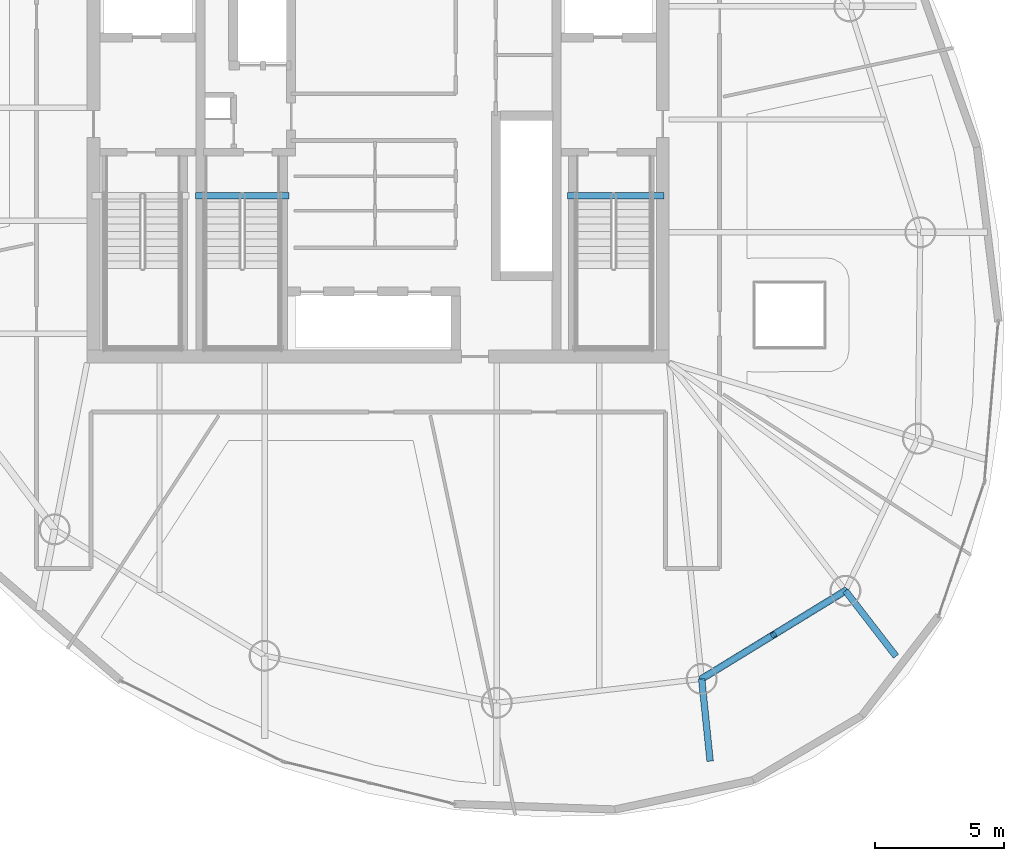
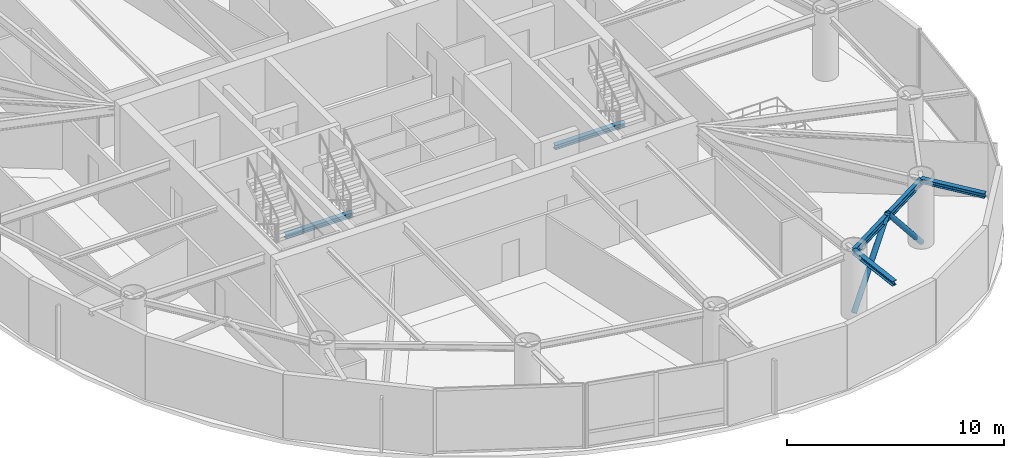
# One storey, part 7 of 22: 5 beams, 2 members.
"""IFC4 building model written with IfcOpenShell, lengths in metres."""

from ifc_helpers import new_model, si_unit, direction, frame, origin, origin_2d, place, context, subcontext, project, spatial, hollow_circle, i_section, extrude, material, material_profile, profile_set, type_object, element, save


model = new_model("IFC4")

# Units and contexts
model_context = context("Model", 3, precision=1e-05, world=origin(), true_north=direction((0.0, 1.0)))
body_context = subcontext(model_context, "Body", "Model", "MODEL_VIEW")
ifc_project = project(units=[si_unit("LENGTHUNIT", "METRE"), si_unit("AREAUNIT", "SQUARE_METRE"), si_unit("VOLUMEUNIT", "CUBIC_METRE"), si_unit("PLANEANGLEUNIT", "RADIAN"), si_unit("MASSUNIT", "GRAM", prefix="KILO")], contexts=[model_context])

# Site, building, storey
site_placement = place(None, origin())
site = spatial("IfcSite", under=ifc_project, at=site_placement, CompositionType="ELEMENT")
building_placement = place(site_placement, origin())
building = spatial("IfcBuilding", under=site, at=building_placement, Name="Bramvorn Convention Spire", CompositionType="ELEMENT")
storey_placement = place(building_placement, frame((0.0, 0.0, 225.10009765625)))
storey = spatial("IfcBuildingStorey", under=building, at=storey_placement, Name="L57", CompositionType="ELEMENT", Elevation=225.10009765625)

# Beams
ifc_material = material(Name="Steel CSA G40.21 Grade 350 (350W)", Category="steel")
ifc_material_profile_1 = material_profile(ifc_material, i_section(OverallWidth=0.25390625, OverallDepth=0.2529296875, WebThickness=0.008544921875, FlangeThickness=0.01416015625, FilletRadius=0.011962890625, at=origin_2d()))
ifc_profile_set_1 = profile_set([ifc_material_profile_1], Name="Steel CSA G40.21 Grade 350 (350W) - W250X73")
beam_type_1 = type_object("IfcBeamType", Name="BM-W250X73", PredefinedType="BEAM", material=ifc_profile_set_1)
beam_1_placement = place(storey_placement, frame((56.058349609375, 9.739990234375, 3.493408203125), z_axis=(0.611497441422, -0.791246408607, 0.0), x_axis=(0.791246408607, 0.611497441422, 0.0)))
element("IfcBeam", 1, at=beam_1_placement, inside=storey, type_object=beam_type_1, Name="L57 slab-edge cantilever tip beam MC01", PredefinedType="BEAM", context=body_context, shape_type="SweptSolid", body=[
    extrude(i_section(OverallWidth=0.25390625, OverallDepth=0.2529296875, WebThickness=0.008544921875, FlangeThickness=0.01416015625, FilletRadius=0.011962890625, at=origin_2d()), origin(), (0.0, 0.0, 1.0), 3.199951171875),
])
beam_2_placement = place(storey_placement, frame((50.50439453125, 6.336181640625, 3.493408203125), z_axis=(0.10223018875, -0.994760769486, 0.0), x_axis=(0.994760769486, 0.10223018875, 0.0)))
element("IfcBeam", 2, at=beam_2_placement, inside=storey, type_object=beam_type_1, Name="L57 slab-edge cantilever tip beam MC16", PredefinedType="BEAM", context=body_context, shape_type="SweptSolid", body=[
    extrude(i_section(OverallWidth=0.25390625, OverallDepth=0.2529296875, WebThickness=0.008544921875, FlangeThickness=0.01416015625, FilletRadius=0.011962890625, at=origin_2d()), origin(), (0.0, 0.0, 1.0), 3.2001953125),
])
beam_3_placement = place(storey_placement, frame((45.31005859375, 25.010009765625, -0.126708984375), z_axis=(1.0, 0.0, 0.0), x_axis=(0.0, 1.0, 0.0)))
element("IfcBeam", 3, at=beam_3_placement, inside=storey, type_object=beam_type_1, Name="L57 ST2 stair arrival header beam", PredefinedType="BEAM", context=body_context, shape_type="SweptSolid", body=[
    extrude(i_section(OverallWidth=0.25390625, OverallDepth=0.2529296875, WebThickness=0.008544921875, FlangeThickness=0.01416015625, FilletRadius=0.011962890625, at=origin_2d()), origin(), (0.0, 0.0, 1.0), 3.739990234375),
])
beam_4_placement = place(storey_placement, frame((30.949951171875, 25.010009765625, -0.126708984375), z_axis=(1.0, 0.0, 0.0), x_axis=(0.0, 1.0, 0.0)))
element("IfcBeam", 4, at=beam_4_placement, inside=storey, type_object=beam_type_1, Name="L57 ST3 stair arrival header beam", PredefinedType="BEAM", context=body_context, shape_type="SweptSolid", body=[
    extrude(i_section(OverallWidth=0.25390625, OverallDepth=0.2529296875, WebThickness=0.008544921875, FlangeThickness=0.01416015625, FilletRadius=0.011962890625, at=origin_2d()), origin(), (0.0, 0.0, 1.0), 3.610107421875),
])
ifc_material_profile_2 = material_profile(ifc_material, i_section(OverallWidth=0.205078125, OverallDepth=0.35400390625, WebThickness=0.009521484375, FlangeThickness=0.016845703125, FilletRadius=0.014892578125, at=origin_2d()))
ifc_profile_set_2 = profile_set([ifc_material_profile_2], Name="Steel CSA G40.21 Grade 350 (350W) - W360X79")
beam_type_2 = type_object("IfcBeamType", Name="BM-W360X79", PredefinedType="JOIST", material=ifc_profile_set_2)
beam_5_placement = place(storey_placement, frame((50.50439453125, 6.336181640625, 3.44287109375), z_axis=(0.852616873135, 0.522536570629, 0.0), x_axis=(-0.522536570629, 0.852616873135, 0.0)))
element("IfcBeam", 5, at=beam_5_placement, inside=storey, type_object=beam_type_2, Name="L57 mega-column ring beam 16", PredefinedType="JOIST", context=body_context, shape_type="SweptSolid", body=[
    extrude(i_section(OverallWidth=0.205078125, OverallDepth=0.35400390625, WebThickness=0.009521484375, FlangeThickness=0.016845703125, FilletRadius=0.014892578125, at=origin_2d()), origin(), (0.0, 0.0, 1.0), 6.513916015625),
])

# Members
ifc_material_profile_3 = material_profile(ifc_material, hollow_circle(Radius=0.136474609375, WallThickness=0.0126953125, at=origin_2d()))
ifc_profile_set_3 = profile_set([ifc_material_profile_3], Name="Steel CSA G40.21 Grade 350 (350W) - CHS273X13")
member_type = type_object("IfcMemberType", Name="MBR-CHS273X13", PredefinedType="BRACE", material=ifc_profile_set_3)
member_1_placement = place(storey_placement, frame((50.50439453125, 6.336181640625, 0.0), z_axis=(0.570302340607, 0.349501328912, 0.743373433334), x_axis=(-0.522519873149, 0.852627106163, 0.0)))
element("IfcMember", 6, at=member_1_placement, inside=storey, type_object=member_type, Name="L57 perimeter Gothic lancet brace 16A", PredefinedType="BRACE", context=body_context, shape_type="SweptSolid", body=[
    extrude(hollow_circle(Radius=0.136474609375, WallThickness=0.0126953125, at=origin_2d()), origin(), (0.0, 0.0, 1.0), 4.86962890625),
])
member_2_placement = place(storey_placement, frame((56.058349609375, 9.739990234375, 0.0), z_axis=(-0.57026850931, -0.349511322174, 0.743394688548), x_axis=(0.522553268977, -0.852606639126, 0.0)))
element("IfcMember", 7, at=member_2_placement, inside=storey, type_object=member_type, Name="L57 perimeter Gothic lancet brace 16B", PredefinedType="BRACE", context=body_context, shape_type="SweptSolid", body=[
    extrude(hollow_circle(Radius=0.136474609375, WallThickness=0.0126953125, at=origin_2d()), origin(), (0.0, 0.0, 1.0), 4.869384765625),
])

save(model, "model.ifc")
